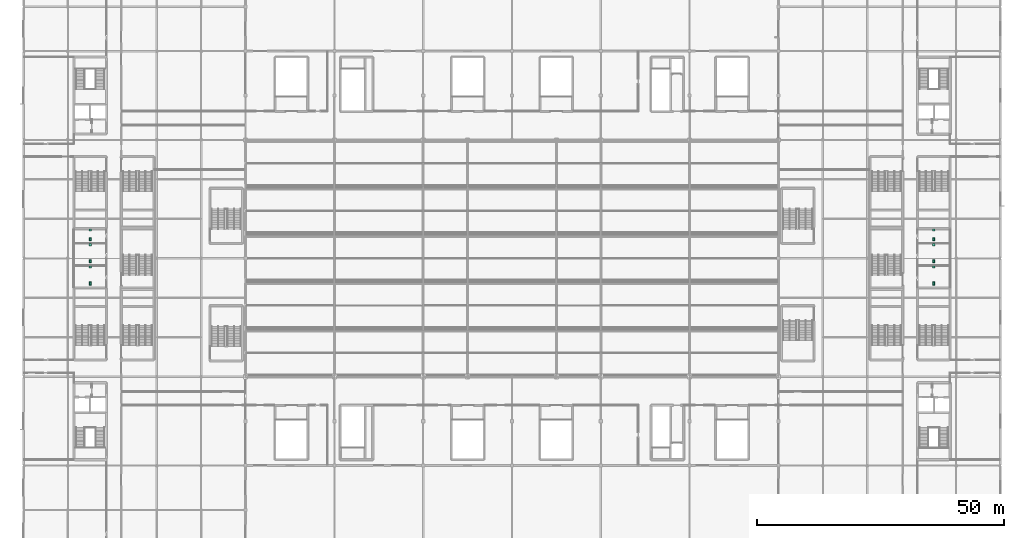
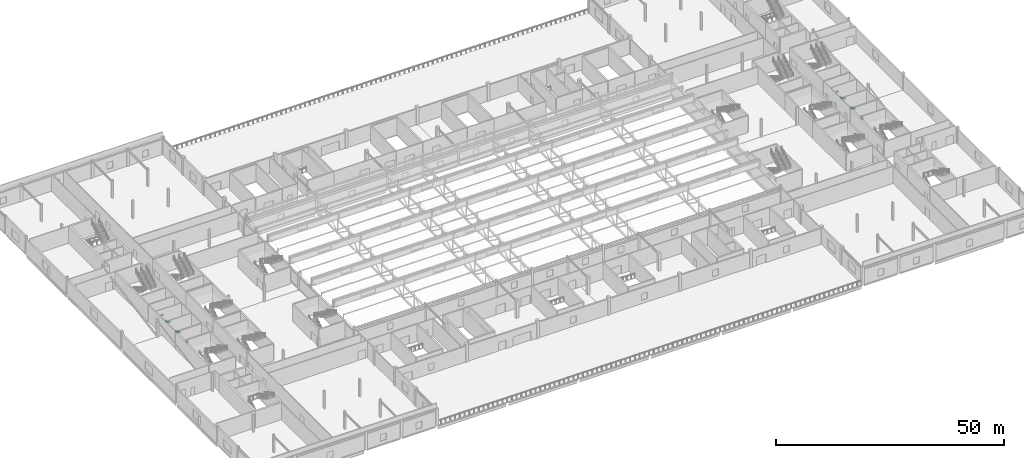
# One storey, part 136 of 136: 12 sanitary terminals.
"""IFC4 building model written with IfcOpenShell, lengths in metres."""

from ifc_helpers import new_model, si_unit, direction, frame, origin, origin_2d, place, context, subcontext, project, spatial, rectangle, extrude, material, type_object, element, save


model = new_model("IFC4")

# Units and contexts
model_context = context("Model", 3, precision=1e-05, world=origin(), true_north=direction((0.0, 1.0)))
body_context = subcontext(model_context, "Body", "Model", "MODEL_VIEW")
ifc_project = project(units=[si_unit("LENGTHUNIT", "METRE"), si_unit("AREAUNIT", "SQUARE_METRE"), si_unit("VOLUMEUNIT", "CUBIC_METRE"), si_unit("PLANEANGLEUNIT", "RADIAN"), si_unit("MASSUNIT", "GRAM", prefix="KILO")], contexts=[model_context])

# Site, building, storey
site_placement = place(None, origin())
site = spatial("IfcSite", under=ifc_project, at=site_placement, CompositionType="ELEMENT")
building_placement = place(site_placement, origin())
building = spatial("IfcBuilding", under=site, at=building_placement, Name="Kisiwana Market Hall", CompositionType="ELEMENT")
storey_placement = place(building_placement, frame((0.0, 0.0, 16.800048828125)))
storey = spatial("IfcBuildingStorey", under=building, at=storey_placement, Name="L03", CompositionType="ELEMENT", Elevation=16.800048828125)

# Sanitary terminals
ifc_material_1 = material(Name="Vitreous china")
sanitary_terminal_type_1 = type_object("IfcSanitaryTerminalType", Name="SAN-BASIN", PredefinedType="WASHHANDBASIN", material=ifc_material_1)
for number, where, z_axis, x_axis, name in (
    (1, (13.5, 58.25, 0.68017578125), (0.0, 0.0, 1.0), (1.0, 0.0, 0.0), "Washhand basin L03-0025"),
    (2, (13.5, 62.75, 0.68017578125), (0.0, 0.0, 1.0), (1.0, 0.0, 0.0), "Washhand basin L03-0026"),
    (3, (13.5, 65.75, 0.68017578125), (0.0, 0.0, 1.0), (1.0, 0.0, 0.0), "Washhand basin L03-0027"),
    (4, (184.5, 58.25, 0.68017578125), (0.0, 0.0, 1.0), (1.0, 0.0, 0.0), "Washhand basin L03-0028"),
    (5, (184.5, 62.75, 0.68017578125), (0.0, 0.0, 1.0), (1.0, 0.0, 0.0), "Washhand basin L03-0029"),
    (6, (184.5, 65.75, 0.68017578125), (0.0, 0.0, 1.0), (1.0, 0.0, 0.0), "Washhand basin L03-0030"),
):
    element("IfcSanitaryTerminal", number, at=place(storey_placement, frame(where, z_axis=z_axis, x_axis=x_axis)), inside=storey, type_object=sanitary_terminal_type_1, Name=name, PredefinedType="WASHHANDBASIN", context=body_context, shape_type="SweptSolid", body=[
        extrude(rectangle(XDim=0.550048828125, YDim=0.449951171875, at=origin_2d()), origin(), (0.0, 0.0, 1.0), 0.199951171875),
    ])
ifc_material_2 = material(Name="Vitreous china")
sanitary_terminal_type_2 = type_object("IfcSanitaryTerminalType", Name="SAN-WC-PAN", PredefinedType="TOILETPAN", material=ifc_material_2)
for number, where, z_axis, x_axis, name in (
    (7, (13.5, 54.89990234375, 0.0), (0.0, 0.0, 1.0), (1.0, 0.0, 0.0), "WC pan L03-0025"),
    (8, (13.5, 59.39990234375, 0.0), (0.0, 0.0, 1.0), (1.0, 0.0, 0.0), "WC pan L03-0026"),
    (9, (13.5, 63.89990234375, 0.0), (0.0, 0.0, 1.0), (1.0, 0.0, 0.0), "WC pan L03-0027"),
    (10, (184.5, 54.89990234375, 0.0), (0.0, 0.0, 1.0), (1.0, 0.0, 0.0), "WC pan L03-0028"),
    (11, (184.5, 59.39990234375, 0.0), (0.0, 0.0, 1.0), (1.0, 0.0, 0.0), "WC pan L03-0029"),
    (12, (184.5, 63.89990234375, 0.0), (0.0, 0.0, 1.0), (1.0, 0.0, 0.0), "WC pan L03-0030"),
):
    element("IfcSanitaryTerminal", number, at=place(storey_placement, frame(where, z_axis=z_axis, x_axis=x_axis)), inside=storey, type_object=sanitary_terminal_type_2, Name=name, PredefinedType="TOILETPAN", context=body_context, shape_type="SweptSolid", body=[
        extrude(rectangle(XDim=0.39990234375, YDim=0.64990234375, at=origin_2d()), origin(), (0.0, 0.0, 1.0), 0.419921875),
    ])

save(model, "model.ifc")
